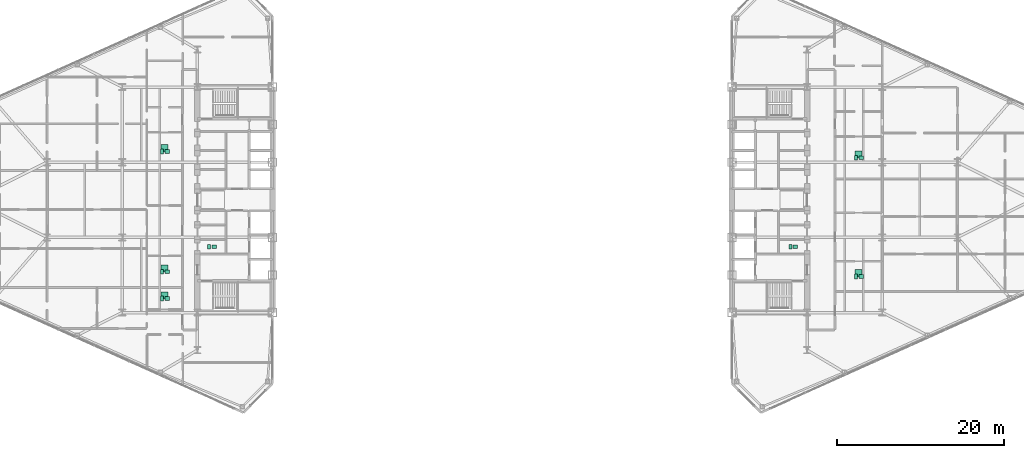
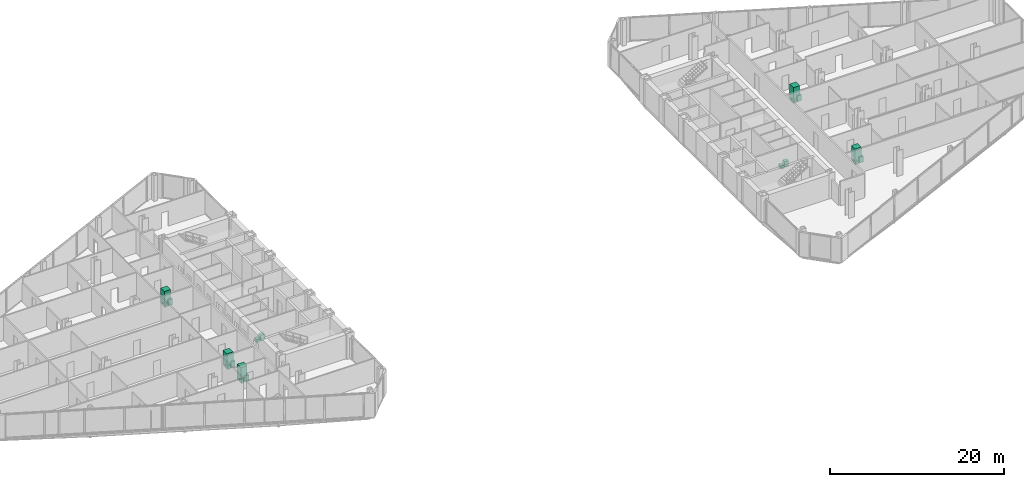
# One storey, part 27 of 27: 19 sanitary terminals.
"""IFC4 building model written with IfcOpenShell, lengths in metres."""

from ifc_helpers import new_model, si_unit, direction, frame, origin, origin_2d, place, context, subcontext, project, spatial, rectangle, extrude, source, transform, mapped, material, type_object, type_shapes, element, save


model = new_model("IFC4")

# Units and contexts
model_context = context("Model", 3, precision=1e-05, world=origin(), true_north=direction((0.0, 1.0)))
body_context = subcontext(model_context, "Body", "Model", "MODEL_VIEW")
ifc_project = project(units=[si_unit("LENGTHUNIT", "METRE"), si_unit("AREAUNIT", "SQUARE_METRE"), si_unit("VOLUMEUNIT", "CUBIC_METRE"), si_unit("PLANEANGLEUNIT", "RADIAN"), si_unit("MASSUNIT", "GRAM", prefix="KILO")], contexts=[model_context])

# Site, building, storey
site_placement = place(None, origin())
site = spatial("IfcSite", under=ifc_project, at=site_placement, CompositionType="ELEMENT")
building_placement = place(site_placement, origin())
building = spatial("IfcBuilding", under=site, at=building_placement, Name="Seokmaru Belvedere", CompositionType="ELEMENT")
storey_placement = place(building_placement, frame((0.0, 0.0, 103.199951171875)))
storey = spatial("IfcBuildingStorey", under=building, at=storey_placement, Name="L27", CompositionType="ELEMENT", Elevation=103.199951171875)

# Sanitary terminals
ifc_material_1 = material(Name="Vitreous China Sanitaryware")
sanitary_terminal_type_1 = type_object("IfcSanitaryTerminalType", Name="Wall-Hung Vitreous China WC Pan", PredefinedType="TOILETPAN", material=ifc_material_1)
shared_shape_1 = source(origin(), body_context, "Body", "SweptSolid", [
    extrude(rectangle(XDim=0.3798828125, YDim=0.56005859375, at=origin_2d()), origin(), (0.0, 0.0, 1.0), 0.419921875),
])
type_shapes(sanitary_terminal_type_1, [shared_shape_1])
for number, where, z_axis, x_axis, name in (
    (1, (-35.10009765625, -5.625, 0.0), (0.0, 0.0, 1.0), (1.0, 0.0, 0.0), "L27 Vitreous China WC 0152"),
    (2, (34.5, -5.625, 0.0), (0.0, 0.0, 1.0), (1.0, 0.0, 0.0), "L27 Vitreous China WC 0153"),
    (3, (-40.72509765625, -11.822021484375, 0.0), (0.0, 0.0, 1.0), (1.0, 0.0, 0.0), "L27 Vitreous China WC 0154"),
    (4, (-40.72509765625, -8.611083984375, 0.0), (0.0, 0.0, 1.0), (1.0, 0.0, 0.0), "L27 Vitreous China WC 0155"),
    (5, (-40.72509765625, 5.7890625, 0.0), (0.0, 0.0, 1.0), (1.0, 0.0, 0.0), "L27 Vitreous China WC 0156"),
    (6, (42.375, -9.177978515625, 0.0), (0.0, 0.0, 1.0), (1.0, 0.0, 0.0), "L27 Vitreous China WC 0157"),
    (7, (42.375, 5.0390625, 0.0), (0.0, 0.0, 1.0), (1.0, 0.0, 0.0), "L27 Vitreous China WC 0158"),
):
    element("IfcSanitaryTerminal", number, at=place(storey_placement, frame(where, z_axis=z_axis, x_axis=x_axis)), inside=storey, type_object=sanitary_terminal_type_1, Name=name, PredefinedType="TOILETPAN", context=body_context, shape_type="MappedRepresentation", body=[
        mapped(shared_shape_1, transform((0.0, 0.0, 0.0), scale=1.0)),
    ])
sanitary_terminal_type_2 = type_object("IfcSanitaryTerminalType", Name="Countertop Ceramic Washhand Basin", PredefinedType="WASHHANDBASIN", material=ifc_material_1)
shared_shape_2 = source(origin(), body_context, "Body", "SweptSolid", [
    extrude(rectangle(XDim=0.550048828125, YDim=0.449951171875, at=origin_2d()), origin(), (0.0, 0.0, 1.0), 0.820068359375),
])
type_shapes(sanitary_terminal_type_2, [shared_shape_2])
for number, where, z_axis, x_axis, name in (
    (8, (-34.5, -5.625, 0.0), (0.0, 0.0, 1.0), (1.0, 0.0, 0.0), "L27 Ceramic Washhand Basin 0152"),
    (9, (35.10009765625, -5.625, 0.0), (0.0, 0.0, 1.0), (1.0, 0.0, 0.0), "L27 Ceramic Washhand Basin 0153"),
    (10, (-40.125, -11.822021484375, 0.0), (0.0, 0.0, 1.0), (1.0, 0.0, 0.0), "L27 Ceramic Washhand Basin 0154"),
    (11, (-40.125, -8.611083984375, 0.0), (0.0, 0.0, 1.0), (1.0, 0.0, 0.0), "L27 Ceramic Washhand Basin 0155"),
    (12, (-40.125, 5.7890625, 0.0), (0.0, 0.0, 1.0), (1.0, 0.0, 0.0), "L27 Ceramic Washhand Basin 0156"),
    (13, (42.97509765625, -9.177978515625, 0.0), (0.0, 0.0, 1.0), (1.0, 0.0, 0.0), "L27 Ceramic Washhand Basin 0157"),
    (14, (42.97509765625, 5.0390625, 0.0), (0.0, 0.0, 1.0), (1.0, 0.0, 0.0), "L27 Ceramic Washhand Basin 0158"),
):
    element("IfcSanitaryTerminal", number, at=place(storey_placement, frame(where, z_axis=z_axis, x_axis=x_axis)), inside=storey, type_object=sanitary_terminal_type_2, Name=name, PredefinedType="WASHHANDBASIN", context=body_context, shape_type="MappedRepresentation", body=[
        mapped(shared_shape_2, transform((0.0, 0.0, 0.0), scale=1.0)),
    ])
ifc_material_2 = material(Name="Stainless Steel 316", Category="steel")
sanitary_terminal_type_3 = type_object("IfcSanitaryTerminalType", Name="Walk-In Thermostatic Rain Shower Enclosure", PredefinedType="SHOWER", material=ifc_material_2)
shared_shape_3 = source(origin(), body_context, "Body", "SweptSolid", [
    extrude(rectangle(XDim=0.85009765625, YDim=0.85009765625, at=origin_2d()), origin(), (0.0, 0.0, 1.0), 2.050048828125),
])
type_shapes(sanitary_terminal_type_3, [shared_shape_3])
for number, where, z_axis, x_axis, name in (
    (15, (-40.425048828125, -11.44189453125, 0.0), (0.0, 0.0, 1.0), (1.0, 0.0, 0.0), "L27 Walk-In Shower 0154"),
    (16, (-40.425048828125, -8.23095703125, 0.0), (0.0, 0.0, 1.0), (1.0, 0.0, 0.0), "L27 Walk-In Shower 0155"),
    (17, (-40.425048828125, 6.1689453125, 0.0), (0.0, 0.0, 1.0), (1.0, 0.0, 0.0), "L27 Walk-In Shower 0156"),
    (18, (42.675048828125, -8.798095703125, 0.0), (0.0, 0.0, 1.0), (1.0, 0.0, 0.0), "L27 Walk-In Shower 0157"),
    (19, (42.675048828125, 5.4189453125, 0.0), (0.0, 0.0, 1.0), (1.0, 0.0, 0.0), "L27 Walk-In Shower 0158"),
):
    element("IfcSanitaryTerminal", number, at=place(storey_placement, frame(where, z_axis=z_axis, x_axis=x_axis)), inside=storey, type_object=sanitary_terminal_type_3, Name=name, PredefinedType="SHOWER", context=body_context, shape_type="MappedRepresentation", body=[
        mapped(shared_shape_3, transform((0.0, 0.0, 0.0), scale=1.0)),
    ])

save(model, "model.ifc")
